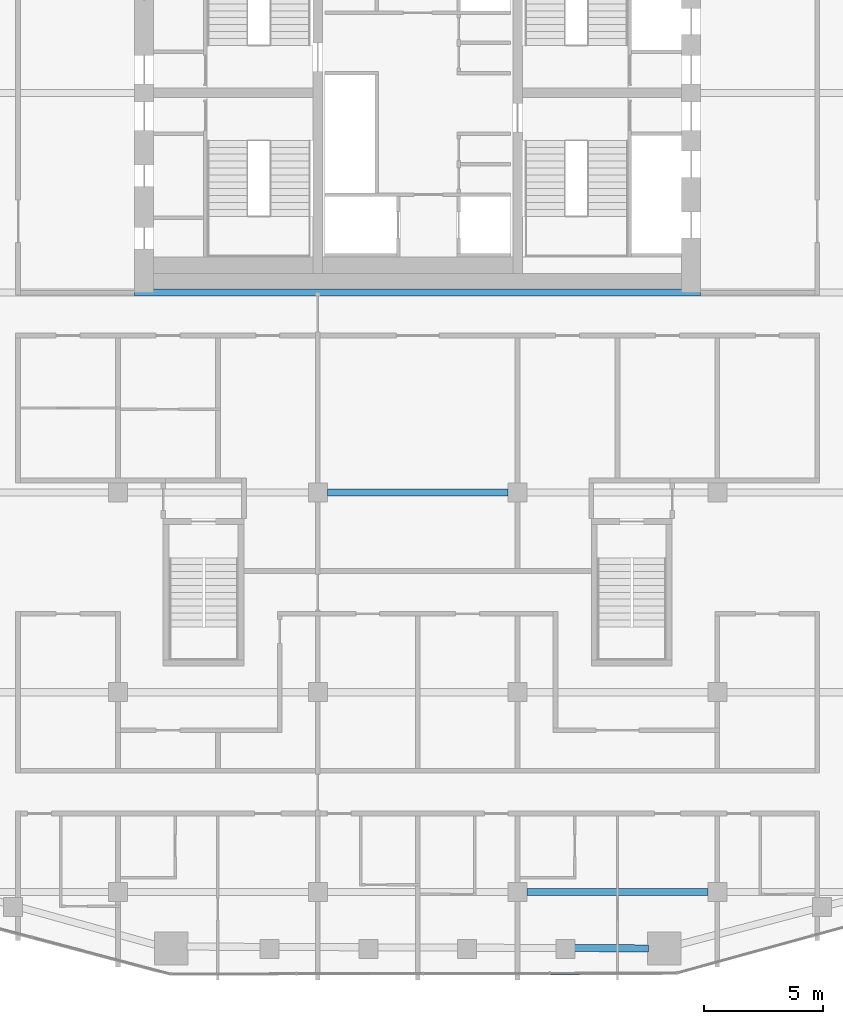
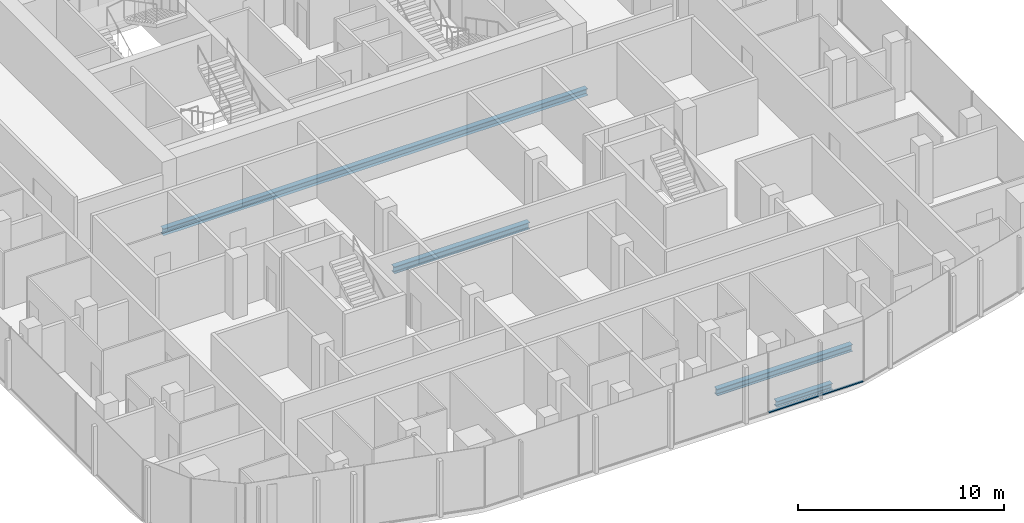
# One storey, part 5 of 22: 4 beams, 1 member, 1 element without a shape of its own.
"""IFC4 building model written with IfcOpenShell, lengths in metres."""

from ifc_helpers import new_model, si_unit, direction, frame, origin, origin_2d, place, context, subcontext, project, spatial, rectangle, i_section, extrude, material, layer, layer_set, material_profile, profile_set, type_object, element, aggregate, save


model = new_model("IFC4")

# Units and contexts
model_context = context("Model", 3, precision=1e-05, world=origin(), true_north=direction((0.0, 1.0)))
body_context = subcontext(model_context, "Body", "Model", "MODEL_VIEW")
ifc_project = project(units=[si_unit("LENGTHUNIT", "METRE"), si_unit("AREAUNIT", "SQUARE_METRE"), si_unit("VOLUMEUNIT", "CUBIC_METRE"), si_unit("PLANEANGLEUNIT", "RADIAN"), si_unit("MASSUNIT", "GRAM", prefix="KILO")], contexts=[model_context])

# Site, building, storey
site_placement = place(None, origin())
site = spatial("IfcSite", under=ifc_project, at=site_placement, CompositionType="ELEMENT")
building_placement = place(site_placement, origin())
building = spatial("IfcBuilding", under=site, at=building_placement, Name="Marenta Gate Hotel Tower", CompositionType="ELEMENT")
storey_placement = place(building_placement, frame((0.0, 0.0, 238.10009765625)))
storey = spatial("IfcBuildingStorey", under=building, at=storey_placement, Name="L56", CompositionType="ELEMENT", Elevation=238.10009765625)

# Beams
ifc_material_1 = material(Name="Steel S355", Category="steel")
ifc_material_profile_1 = material_profile(ifc_material_1, i_section(OverallWidth=0.300048828125, OverallDepth=0.340087890625, WebThickness=0.011962890625, FlangeThickness=0.021484375, FilletRadius=0.027099609375, at=origin_2d()), Name="HEB 340")
ifc_profile_set_1 = profile_set([ifc_material_profile_1], Name="Steel S355")
beam_type_1 = type_object("IfcBeamType", Name="Edge beam HEB 340", PredefinedType="SPANDREL", material=ifc_profile_set_1)
beam_1_placement = place(storey_placement, frame((9.706298828125, -27.570068359375, -0.43017578125), z_axis=(-0.999992678531, 0.003826602206, 0.0), x_axis=(-0.003826602206, -0.999992678531, 0.0)))
element("IfcBeam", 1, at=beam_1_placement, inside=storey, type_object=beam_type_1, Name="L56-EB-32", PredefinedType="SPANDREL", context=body_context, shape_type="SweptSolid", body=[
    extrude(i_section(OverallWidth=0.300048828125, OverallDepth=0.340087890625, WebThickness=0.011962890625, FlangeThickness=0.021484375, FilletRadius=0.027099609375, at=origin_2d()), origin(), (0.0, 0.0, 1.0), 3.126220703125),
])
ifc_material_2 = material(Name="Steel S355", Category="steel")
ifc_material_profile_2 = material_profile(ifc_material_2, i_section(OverallWidth=0.300048828125, OverallDepth=0.39990234375, WebThickness=0.013427734375, FlangeThickness=0.02392578125, FilletRadius=0.027099609375, at=origin_2d()), Name="HEB 400")
ifc_profile_set_2 = profile_set([ifc_material_profile_2], Name="Steel S355")
beam_type_2 = type_object("IfcBeamType", Name="Girder HEB 400", PredefinedType="BEAM", material=ifc_profile_set_2)
beam_2_placement = place(storey_placement, frame((4.60009765625, -25.199951171875, -0.460205078125), z_axis=(1.0, 0.0, 0.0), x_axis=(0.0, 1.0, 0.0)))
element("IfcBeam", 2, at=beam_2_placement, inside=storey, type_object=beam_type_2, Name="L56-GD-4", PredefinedType="BEAM", context=body_context, shape_type="SweptSolid", body=[
    extrude(i_section(OverallWidth=0.300048828125, OverallDepth=0.39990234375, WebThickness=0.013427734375, FlangeThickness=0.02392578125, FilletRadius=0.027099609375, at=origin_2d()), origin(), (0.0, 0.0, 1.0), 7.599853515625),
])
beam_3_placement = place(storey_placement, frame((-3.800048828125, -8.39990234375, -0.460205078125), z_axis=(1.0, 0.0, 0.0), x_axis=(0.0, 1.0, 0.0)))
element("IfcBeam", 3, at=beam_3_placement, inside=storey, type_object=beam_type_2, Name="L56-GD-16", PredefinedType="BEAM", context=body_context, shape_type="SweptSolid", body=[
    extrude(i_section(OverallWidth=0.300048828125, OverallDepth=0.39990234375, WebThickness=0.013427734375, FlangeThickness=0.02392578125, FilletRadius=0.027099609375, at=origin_2d()), origin(), (0.0, 0.0, 1.0), 7.60009765625),
])
beam_4_placement = place(storey_placement, frame((-11.89990234375, 0.0, -0.460205078125), z_axis=(1.0, 0.0, 0.0), x_axis=(0.0, 1.0, 0.0)))
element("IfcBeam", 4, at=beam_4_placement, inside=storey, type_object=beam_type_2, Name="L56-GD-22", PredefinedType="BEAM", context=body_context, shape_type="SweptSolid", body=[
    extrude(i_section(OverallWidth=0.300048828125, OverallDepth=0.39990234375, WebThickness=0.013427734375, FlangeThickness=0.02392578125, FilletRadius=0.027099609375, at=origin_2d()), origin(), (0.0, 0.0, 1.0), 23.7998046875),
])

# Curtain wall, member
ifc_material_3 = material(Name="Tinted insulated glass in bronze anodised frame", Category="glass")
ifc_layer = layer(ifc_material_3, 0.1201171875)
ifc_layer_set = layer_set([ifc_layer], Name="Tinted insulated glass in bronze anodised frame")
curtain_wall_type = type_object("IfcCurtainWallType", Name="Tower unitised curtain wall CW1", PredefinedType="NOTDEFINED", material=ifc_layer_set)
curtain_wall_placement = place(storey_placement, origin())
curtain_wall = element("IfcCurtainWall", 5, at=curtain_wall_placement, inside=storey, type_object=curtain_wall_type, Name="CW1 run G07", PredefinedType="NOTDEFINED")
ifc_material_4 = material(Name="Bronze anodised aluminium", Category="aluminium")
ifc_material_profile_3 = material_profile(ifc_material_4, rectangle(XDim=0.1201171875, YDim=0.06005859375, at=origin_2d()), Name="Transom CW1 60x120 bronze anodised aluminium")
ifc_profile_set_3 = profile_set([ifc_material_profile_3], Name="Bronze anodised aluminium")
member_type = type_object("IfcMemberType", Name="Transom CW1 60x120 bronze anodised aluminium", PredefinedType="USERDEFINED", material=ifc_profile_set_3)
member_placement = place(storey_placement, frame((5.583740234375, -28.62109375, 0.02978515625), z_axis=(0.999998695429, 0.001615283106, 0.0), x_axis=(-0.001615283106, 0.999998695429, 0.0)))
member = element("IfcMember", 6, at=member_placement, type_object=member_type, Name="CW1 transom 4.1", ObjectType="TRANSOM", PredefinedType="USERDEFINED", context=body_context, shape_type="SweptSolid", body=[
    extrude(rectangle(XDim=0.1201171875, YDim=0.06005859375, at=origin_2d()), origin(), (0.0, 0.0, 1.0), 5.2900390625),
])
aggregate(curtain_wall, [member])

save(model, "model.ifc")
